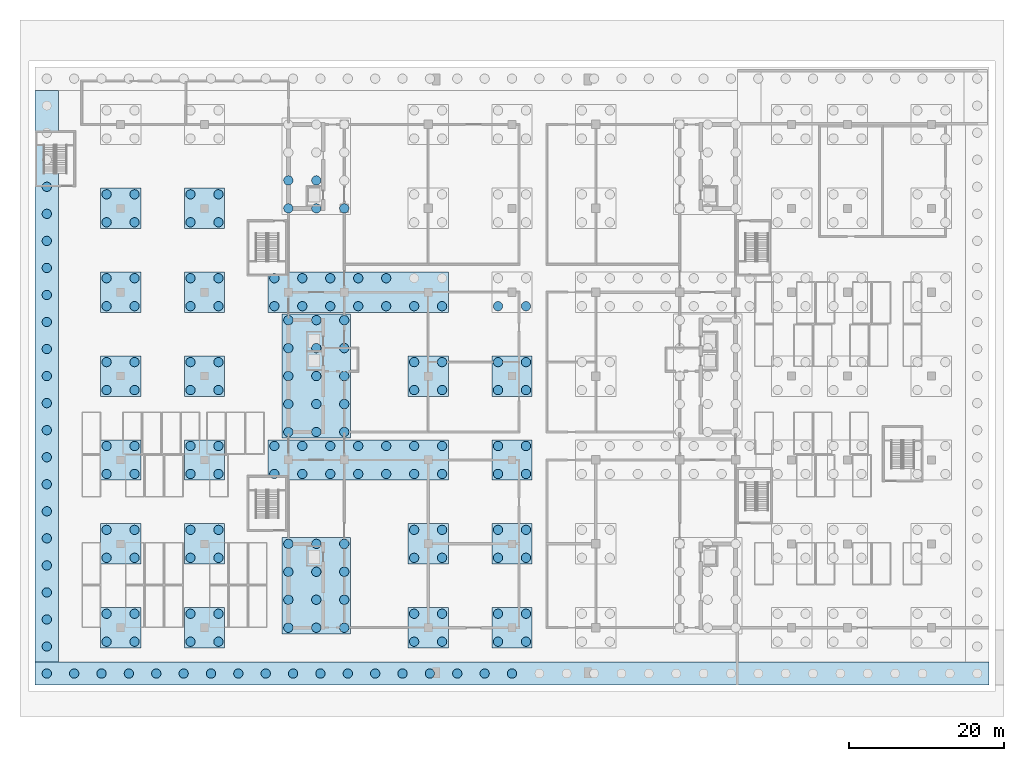
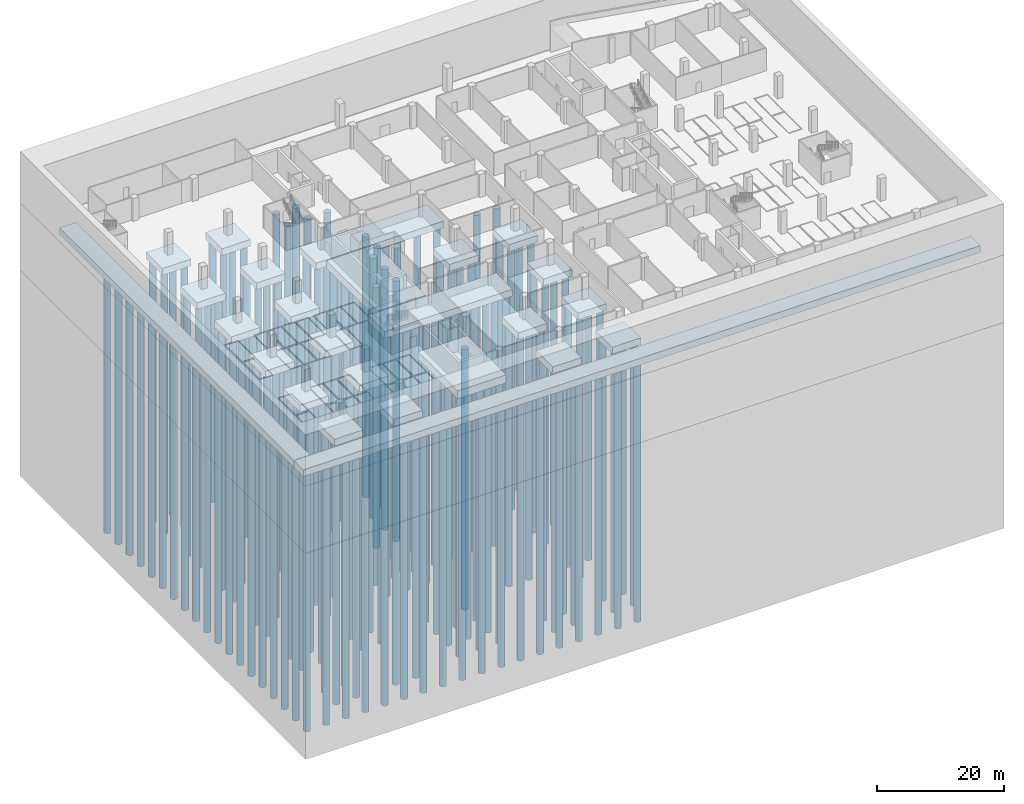
# One storey, part 1 of 18: 172 piles, 25 footings.
"""IFC4 building model written with IfcOpenShell, lengths in metres."""

from ifc_helpers import new_model, si_unit, direction, frame, origin, origin_2d, place, context, subcontext, project, spatial, polyline, circle, outline, extrude, material, material_profile, profile_set, type_object, element, save


model = new_model("IFC4")

# Units and contexts
model_context = context("Model", 3, precision=1e-05, world=origin(), true_north=direction((0.0, 1.0)))
body_context = subcontext(model_context, "Body", "Model", "MODEL_VIEW")
ifc_project = project(units=[si_unit("LENGTHUNIT", "METRE"), si_unit("AREAUNIT", "SQUARE_METRE"), si_unit("VOLUMEUNIT", "CUBIC_METRE"), si_unit("PLANEANGLEUNIT", "RADIAN"), si_unit("MASSUNIT", "GRAM", prefix="KILO")], contexts=[model_context])

# Site, building, storey
site_placement = place(None, origin())
site = spatial("IfcSite", under=ifc_project, at=site_placement, CompositionType="ELEMENT")
building_placement = place(site_placement, origin())
building = spatial("IfcBuilding", under=site, at=building_placement, Name="Basin Gate Institute", CompositionType="ELEMENT")
storey_placement = place(building_placement, frame((0.0, 0.0, -9.60009765625)))
storey = spatial("IfcBuildingStorey", under=building, at=storey_placement, Name="B2", CompositionType="ELEMENT", Elevation=-9.60009765625)

# Piles
ifc_material_1 = material(Name="Concrete 35 MPa", Category="concrete")
ifc_material_profile = material_profile(ifc_material_1, circle(Radius=0.60009765625, at=origin_2d()), Name="Bored pile P1 1200 dia")
ifc_profile_set = profile_set([ifc_material_profile], Name="Concrete 35 MPa")
pile_type = type_object("IfcPileType", Name="Bored pile P1", PredefinedType="BORED", material=ifc_profile_set)
for number, where, z_axis, x_axis, name in (
    (1, (61.199951171875, 35.10009765625, -2.0), (0.0, 0.0, -1.0), (1.0, 0.0, 0.0), "PILE/WS/1"),
    (2, (61.199951171875, 38.699951171875, -2.0), (0.0, 0.0, -1.0), (1.0, 0.0, 0.0), "PILE/WS/2"),
    (3, (61.199951171875, 42.300048828125, -2.0), (0.0, 0.0, -1.0), (1.0, 0.0, 0.0), "PILE/WS/3"),
    (4, (61.199951171875, 45.89990234375, -2.0), (0.0, 0.0, -1.0), (1.0, 0.0, 0.0), "PILE/WS/4"),
    (5, (64.800048828125, 35.10009765625, -2.0), (0.0, 0.0, -1.0), (1.0, 0.0, 0.0), "PILE/WS/5"),
    (6, (64.800048828125, 38.699951171875, -2.0), (0.0, 0.0, -1.0), (1.0, 0.0, 0.0), "PILE/WS/6"),
    (7, (64.800048828125, 42.300048828125, -2.0), (0.0, 0.0, -1.0), (1.0, 0.0, 0.0), "PILE/WS/7"),
    (8, (64.800048828125, 45.89990234375, -2.0), (0.0, 0.0, -1.0), (1.0, 0.0, 0.0), "PILE/WS/8"),
    (9, (68.39990234375, 35.10009765625, -2.0), (0.0, 0.0, -1.0), (1.0, 0.0, 0.0), "PILE/WS/9"),
    (10, (68.39990234375, 38.699951171875, -2.0), (0.0, 0.0, -1.0), (1.0, 0.0, 0.0), "PILE/WS/10"),
    (11, (68.39990234375, 42.300048828125, -2.0), (0.0, 0.0, -1.0), (1.0, 0.0, 0.0), "PILE/WS/11"),
    (12, (68.39990234375, 45.89990234375, -2.0), (0.0, 0.0, -1.0), (1.0, 0.0, 0.0), "PILE/WS/12"),
    (13, (61.199951171875, 60.300048828125, -2.0), (0.0, 0.0, -1.0), (1.0, 0.0, 0.0), "PILE/WM/1"),
    (14, (61.199951171875, 63.89990234375, -2.0), (0.0, 0.0, -1.0), (1.0, 0.0, 0.0), "PILE/WM/2"),
    (15, (61.199951171875, 67.5, -2.0), (0.0, 0.0, -1.0), (1.0, 0.0, 0.0), "PILE/WM/3"),
    (16, (61.199951171875, 71.10009765625, -2.0), (0.0, 0.0, -1.0), (1.0, 0.0, 0.0), "PILE/WM/4"),
    (17, (61.199951171875, 74.699951171875, -2.0), (0.0, 0.0, -1.0), (1.0, 0.0, 0.0), "PILE/WM/5"),
    (18, (64.800048828125, 60.300048828125, -2.0), (0.0, 0.0, -1.0), (1.0, 0.0, 0.0), "PILE/WM/6"),
    (19, (64.800048828125, 63.89990234375, -2.0), (0.0, 0.0, -1.0), (1.0, 0.0, 0.0), "PILE/WM/7"),
    (20, (64.800048828125, 67.5, -2.0), (0.0, 0.0, -1.0), (1.0, 0.0, 0.0), "PILE/WM/8"),
    (21, (64.800048828125, 71.10009765625, -2.0), (0.0, 0.0, -1.0), (1.0, 0.0, 0.0), "PILE/WM/9"),
    (22, (64.800048828125, 74.699951171875, -2.0), (0.0, 0.0, -1.0), (1.0, 0.0, 0.0), "PILE/WM/10"),
    (23, (68.39990234375, 60.300048828125, -2.0), (0.0, 0.0, -1.0), (1.0, 0.0, 0.0), "PILE/WM/11"),
    (24, (68.39990234375, 63.89990234375, -2.0), (0.0, 0.0, -1.0), (1.0, 0.0, 0.0), "PILE/WM/12"),
    (25, (68.39990234375, 67.5, -2.0), (0.0, 0.0, -1.0), (1.0, 0.0, 0.0), "PILE/WM/13"),
    (26, (68.39990234375, 71.10009765625, -2.0), (0.0, 0.0, -1.0), (1.0, 0.0, 0.0), "PILE/WM/14"),
    (27, (68.39990234375, 74.699951171875, -2.0), (0.0, 0.0, -1.0), (1.0, 0.0, 0.0), "PILE/WM/15"),
    (28, (61.199951171875, 89.10009765625, -2.0), (0.0, 0.0, -1.0), (1.0, 0.0, 0.0), "PILE/WN/1"),
    (29, (61.199951171875, 92.699951171875, -2.0), (0.0, 0.0, -1.0), (1.0, 0.0, 0.0), "PILE/WN/2"),
    (30, (64.800048828125, 89.10009765625, -2.0), (0.0, 0.0, -1.0), (1.0, 0.0, 0.0), "PILE/WN/5"),
    (31, (64.800048828125, 92.699951171875, -2.0), (0.0, 0.0, -1.0), (1.0, 0.0, 0.0), "PILE/WN/6"),
    (32, (68.39990234375, 89.10009765625, -2.0), (0.0, 0.0, -1.0), (1.0, 0.0, 0.0), "PILE/WN/9"),
    (33, (59.39990234375, 54.89990234375, -1.7998046875), (0.0, 0.0, -1.0), (1.0, 0.0, 0.0), "PILE/WWC/1"),
    (34, (59.39990234375, 58.5, -1.7998046875), (0.0, 0.0, -1.0), (1.0, 0.0, 0.0), "PILE/WWC/2"),
    (35, (63.0, 54.89990234375, -1.7998046875), (0.0, 0.0, -1.0), (1.0, 0.0, 0.0), "PILE/WWC/3"),
    (36, (63.0, 58.5, -1.7998046875), (0.0, 0.0, -1.0), (1.0, 0.0, 0.0), "PILE/WWC/4"),
    (37, (66.60009765625, 54.89990234375, -1.7998046875), (0.0, 0.0, -1.0), (1.0, 0.0, 0.0), "PILE/WWC/5"),
    (38, (66.60009765625, 58.5, -1.7998046875), (0.0, 0.0, -1.0), (1.0, 0.0, 0.0), "PILE/WWC/6"),
    (39, (70.199951171875, 54.89990234375, -1.7998046875), (0.0, 0.0, -1.0), (1.0, 0.0, 0.0), "PILE/WWC/7"),
    (40, (70.199951171875, 58.5, -1.7998046875), (0.0, 0.0, -1.0), (1.0, 0.0, 0.0), "PILE/WWC/8"),
    (41, (73.800048828125, 54.89990234375, -1.7998046875), (0.0, 0.0, -1.0), (1.0, 0.0, 0.0), "PILE/WWC/9"),
    (42, (73.800048828125, 58.5, -1.7998046875), (0.0, 0.0, -1.0), (1.0, 0.0, 0.0), "PILE/WWC/10"),
    (43, (77.39990234375, 54.89990234375, -1.7998046875), (0.0, 0.0, -1.0), (1.0, 0.0, 0.0), "PILE/WWC/11"),
    (44, (77.39990234375, 58.5, -1.7998046875), (0.0, 0.0, -1.0), (1.0, 0.0, 0.0), "PILE/WWC/12"),
    (45, (81.0, 54.89990234375, -1.7998046875), (0.0, 0.0, -1.0), (1.0, 0.0, 0.0), "PILE/WWC/13"),
    (46, (81.0, 58.5, -1.7998046875), (0.0, 0.0, -1.0), (1.0, 0.0, 0.0), "PILE/WWC/14"),
    (47, (59.39990234375, 76.5, -1.7998046875), (0.0, 0.0, -1.0), (1.0, 0.0, 0.0), "PILE/WWE/1"),
    (48, (59.39990234375, 80.10009765625, -1.7998046875), (0.0, 0.0, -1.0), (1.0, 0.0, 0.0), "PILE/WWE/2"),
    (49, (63.0, 76.5, -1.7998046875), (0.0, 0.0, -1.0), (1.0, 0.0, 0.0), "PILE/WWE/3"),
    (50, (63.0, 80.10009765625, -1.7998046875), (0.0, 0.0, -1.0), (1.0, 0.0, 0.0), "PILE/WWE/4"),
    (51, (66.60009765625, 76.5, -1.7998046875), (0.0, 0.0, -1.0), (1.0, 0.0, 0.0), "PILE/WWE/5"),
    (52, (66.60009765625, 80.10009765625, -1.7998046875), (0.0, 0.0, -1.0), (1.0, 0.0, 0.0), "PILE/WWE/6"),
    (53, (70.199951171875, 76.5, -1.7998046875), (0.0, 0.0, -1.0), (1.0, 0.0, 0.0), "PILE/WWE/7"),
    (54, (70.199951171875, 80.10009765625, -1.7998046875), (0.0, 0.0, -1.0), (1.0, 0.0, 0.0), "PILE/WWE/8"),
    (55, (73.800048828125, 76.5, -1.7998046875), (0.0, 0.0, -1.0), (1.0, 0.0, 0.0), "PILE/WWE/9"),
    (56, (73.800048828125, 80.10009765625, -1.7998046875), (0.0, 0.0, -1.0), (1.0, 0.0, 0.0), "PILE/WWE/10"),
    (57, (77.39990234375, 76.5, -1.7998046875), (0.0, 0.0, -1.0), (1.0, 0.0, 0.0), "PILE/WWE/11"),
    (58, (81.0, 76.5, -1.7998046875), (0.0, 0.0, -1.0), (1.0, 0.0, 0.0), "PILE/WWE/13"),
    (59, (77.39990234375, 33.300048828125, -1.7998046875), (0.0, 0.0, -1.0), (1.0, 0.0, 0.0), "PILE/6A/1"),
    (60, (81.0, 33.300048828125, -1.7998046875), (0.0, 0.0, -1.0), (1.0, 0.0, 0.0), "PILE/6A/2"),
    (61, (77.39990234375, 36.89990234375, -1.7998046875), (0.0, 0.0, -1.0), (1.0, 0.0, 0.0), "PILE/6A/3"),
    (62, (81.0, 36.89990234375, -1.7998046875), (0.0, 0.0, -1.0), (1.0, 0.0, 0.0), "PILE/6A/4"),
    (63, (77.39990234375, 44.10009765625, -1.7998046875), (0.0, 0.0, -1.0), (1.0, 0.0, 0.0), "PILE/6B/1"),
    (64, (81.0, 44.10009765625, -1.7998046875), (0.0, 0.0, -1.0), (1.0, 0.0, 0.0), "PILE/6B/2"),
    (65, (77.39990234375, 47.699951171875, -1.7998046875), (0.0, 0.0, -1.0), (1.0, 0.0, 0.0), "PILE/6B/3"),
    (66, (81.0, 47.699951171875, -1.7998046875), (0.0, 0.0, -1.0), (1.0, 0.0, 0.0), "PILE/6B/4"),
    (67, (77.39990234375, 65.699951171875, -1.7998046875), (0.0, 0.0, -1.0), (1.0, 0.0, 0.0), "PILE/6D/1"),
    (68, (81.0, 65.699951171875, -1.7998046875), (0.0, 0.0, -1.0), (1.0, 0.0, 0.0), "PILE/6D/2"),
    (69, (77.39990234375, 69.300048828125, -1.7998046875), (0.0, 0.0, -1.0), (1.0, 0.0, 0.0), "PILE/6D/3"),
    (70, (81.0, 69.300048828125, -1.7998046875), (0.0, 0.0, -1.0), (1.0, 0.0, 0.0), "PILE/6D/4"),
    (71, (37.800048828125, 33.300048828125, -1.7998046875), (0.0, 0.0, -1.0), (1.0, 0.0, 0.0), "PILE/2A/1"),
    (72, (41.39990234375, 33.300048828125, -1.7998046875), (0.0, 0.0, -1.0), (1.0, 0.0, 0.0), "PILE/2A/2"),
    (73, (37.800048828125, 36.89990234375, -1.7998046875), (0.0, 0.0, -1.0), (1.0, 0.0, 0.0), "PILE/2A/3"),
    (74, (41.39990234375, 36.89990234375, -1.7998046875), (0.0, 0.0, -1.0), (1.0, 0.0, 0.0), "PILE/2A/4"),
    (75, (37.800048828125, 44.10009765625, -1.7998046875), (0.0, 0.0, -1.0), (1.0, 0.0, 0.0), "PILE/2B/1"),
    (76, (41.39990234375, 44.10009765625, -1.7998046875), (0.0, 0.0, -1.0), (1.0, 0.0, 0.0), "PILE/2B/2"),
    (77, (37.800048828125, 47.699951171875, -1.7998046875), (0.0, 0.0, -1.0), (1.0, 0.0, 0.0), "PILE/2B/3"),
    (78, (41.39990234375, 47.699951171875, -1.7998046875), (0.0, 0.0, -1.0), (1.0, 0.0, 0.0), "PILE/2B/4"),
    (79, (37.800048828125, 54.89990234375, -1.7998046875), (0.0, 0.0, -1.0), (1.0, 0.0, 0.0), "PILE/2C/1"),
    (80, (41.39990234375, 54.89990234375, -1.7998046875), (0.0, 0.0, -1.0), (1.0, 0.0, 0.0), "PILE/2C/2"),
    (81, (37.800048828125, 58.5, -1.7998046875), (0.0, 0.0, -1.0), (1.0, 0.0, 0.0), "PILE/2C/3"),
    (82, (41.39990234375, 58.5, -1.7998046875), (0.0, 0.0, -1.0), (1.0, 0.0, 0.0), "PILE/2C/4"),
    (83, (37.800048828125, 65.699951171875, -1.7998046875), (0.0, 0.0, -1.0), (1.0, 0.0, 0.0), "PILE/2D/1"),
    (84, (41.39990234375, 65.699951171875, -1.7998046875), (0.0, 0.0, -1.0), (1.0, 0.0, 0.0), "PILE/2D/2"),
    (85, (37.800048828125, 69.300048828125, -1.7998046875), (0.0, 0.0, -1.0), (1.0, 0.0, 0.0), "PILE/2D/3"),
    (86, (41.39990234375, 69.300048828125, -1.7998046875), (0.0, 0.0, -1.0), (1.0, 0.0, 0.0), "PILE/2D/4"),
    (87, (37.800048828125, 76.5, -1.7998046875), (0.0, 0.0, -1.0), (1.0, 0.0, 0.0), "PILE/2E/1"),
    (88, (41.39990234375, 76.5, -1.7998046875), (0.0, 0.0, -1.0), (1.0, 0.0, 0.0), "PILE/2E/2"),
    (89, (37.800048828125, 80.10009765625, -1.7998046875), (0.0, 0.0, -1.0), (1.0, 0.0, 0.0), "PILE/2E/3"),
    (90, (41.39990234375, 80.10009765625, -1.7998046875), (0.0, 0.0, -1.0), (1.0, 0.0, 0.0), "PILE/2E/4"),
    (91, (37.800048828125, 87.300048828125, -1.7998046875), (0.0, 0.0, -1.0), (1.0, 0.0, 0.0), "PILE/2F/1"),
    (92, (41.39990234375, 87.300048828125, -1.7998046875), (0.0, 0.0, -1.0), (1.0, 0.0, 0.0), "PILE/2F/2"),
    (93, (37.800048828125, 90.89990234375, -1.7998046875), (0.0, 0.0, -1.0), (1.0, 0.0, 0.0), "PILE/2F/3"),
    (94, (41.39990234375, 90.89990234375, -1.7998046875), (0.0, 0.0, -1.0), (1.0, 0.0, 0.0), "PILE/2F/4"),
    (95, (48.60009765625, 33.300048828125, -1.7998046875), (0.0, 0.0, -1.0), (1.0, 0.0, 0.0), "PILE/3A/1"),
    (96, (52.199951171875, 33.300048828125, -1.7998046875), (0.0, 0.0, -1.0), (1.0, 0.0, 0.0), "PILE/3A/2"),
    (97, (48.60009765625, 36.89990234375, -1.7998046875), (0.0, 0.0, -1.0), (1.0, 0.0, 0.0), "PILE/3A/3"),
    (98, (52.199951171875, 36.89990234375, -1.7998046875), (0.0, 0.0, -1.0), (1.0, 0.0, 0.0), "PILE/3A/4"),
    (99, (48.60009765625, 44.10009765625, -1.7998046875), (0.0, 0.0, -1.0), (1.0, 0.0, 0.0), "PILE/3B/1"),
    (100, (52.199951171875, 44.10009765625, -1.7998046875), (0.0, 0.0, -1.0), (1.0, 0.0, 0.0), "PILE/3B/2"),
    (101, (48.60009765625, 47.699951171875, -1.7998046875), (0.0, 0.0, -1.0), (1.0, 0.0, 0.0), "PILE/3B/3"),
    (102, (52.199951171875, 47.699951171875, -1.7998046875), (0.0, 0.0, -1.0), (1.0, 0.0, 0.0), "PILE/3B/4"),
    (103, (48.60009765625, 54.89990234375, -1.7998046875), (0.0, 0.0, -1.0), (1.0, 0.0, 0.0), "PILE/3C/1"),
    (104, (52.199951171875, 54.89990234375, -1.7998046875), (0.0, 0.0, -1.0), (1.0, 0.0, 0.0), "PILE/3C/2"),
    (105, (48.60009765625, 58.5, -1.7998046875), (0.0, 0.0, -1.0), (1.0, 0.0, 0.0), "PILE/3C/3"),
    (106, (52.199951171875, 58.5, -1.7998046875), (0.0, 0.0, -1.0), (1.0, 0.0, 0.0), "PILE/3C/4"),
    (107, (48.60009765625, 65.699951171875, -1.7998046875), (0.0, 0.0, -1.0), (1.0, 0.0, 0.0), "PILE/3D/1"),
    (108, (52.199951171875, 65.699951171875, -1.7998046875), (0.0, 0.0, -1.0), (1.0, 0.0, 0.0), "PILE/3D/2"),
    (109, (48.60009765625, 69.300048828125, -1.7998046875), (0.0, 0.0, -1.0), (1.0, 0.0, 0.0), "PILE/3D/3"),
    (110, (52.199951171875, 69.300048828125, -1.7998046875), (0.0, 0.0, -1.0), (1.0, 0.0, 0.0), "PILE/3D/4"),
    (111, (48.60009765625, 76.5, -1.7998046875), (0.0, 0.0, -1.0), (1.0, 0.0, 0.0), "PILE/3E/1"),
    (112, (52.199951171875, 76.5, -1.7998046875), (0.0, 0.0, -1.0), (1.0, 0.0, 0.0), "PILE/3E/2"),
    (113, (48.60009765625, 80.10009765625, -1.7998046875), (0.0, 0.0, -1.0), (1.0, 0.0, 0.0), "PILE/3E/3"),
    (114, (52.199951171875, 80.10009765625, -1.7998046875), (0.0, 0.0, -1.0), (1.0, 0.0, 0.0), "PILE/3E/4"),
    (115, (48.60009765625, 87.300048828125, -1.7998046875), (0.0, 0.0, -1.0), (1.0, 0.0, 0.0), "PILE/3F/1"),
    (116, (52.199951171875, 87.300048828125, -1.7998046875), (0.0, 0.0, -1.0), (1.0, 0.0, 0.0), "PILE/3F/2"),
    (117, (48.60009765625, 90.89990234375, -1.7998046875), (0.0, 0.0, -1.0), (1.0, 0.0, 0.0), "PILE/3F/3"),
    (118, (52.199951171875, 90.89990234375, -1.7998046875), (0.0, 0.0, -1.0), (1.0, 0.0, 0.0), "PILE/3F/4"),
    (119, (88.199951171875, 33.300048828125, -1.7998046875), (0.0, 0.0, -1.0), (1.0, 0.0, 0.0), "PILE/6.5A/1"),
    (120, (91.800048828125, 33.300048828125, -1.7998046875), (0.0, 0.0, -1.0), (1.0, 0.0, 0.0), "PILE/6.5A/2"),
    (121, (88.199951171875, 36.89990234375, -1.7998046875), (0.0, 0.0, -1.0), (1.0, 0.0, 0.0), "PILE/6.5A/3"),
    (122, (91.800048828125, 36.89990234375, -1.7998046875), (0.0, 0.0, -1.0), (1.0, 0.0, 0.0), "PILE/6.5A/4"),
    (123, (88.199951171875, 44.10009765625, -1.7998046875), (0.0, 0.0, -1.0), (1.0, 0.0, 0.0), "PILE/6.5B/1"),
    (124, (91.800048828125, 44.10009765625, -1.7998046875), (0.0, 0.0, -1.0), (1.0, 0.0, 0.0), "PILE/6.5B/2"),
    (125, (88.199951171875, 47.699951171875, -1.7998046875), (0.0, 0.0, -1.0), (1.0, 0.0, 0.0), "PILE/6.5B/3"),
    (126, (91.800048828125, 47.699951171875, -1.7998046875), (0.0, 0.0, -1.0), (1.0, 0.0, 0.0), "PILE/6.5B/4"),
    (127, (88.199951171875, 54.89990234375, -1.7998046875), (0.0, 0.0, -1.0), (1.0, 0.0, 0.0), "PILE/6.5C/1"),
    (128, (91.800048828125, 54.89990234375, -1.7998046875), (0.0, 0.0, -1.0), (1.0, 0.0, 0.0), "PILE/6.5C/2"),
    (129, (88.199951171875, 58.5, -1.7998046875), (0.0, 0.0, -1.0), (1.0, 0.0, 0.0), "PILE/6.5C/3"),
    (130, (91.800048828125, 58.5, -1.7998046875), (0.0, 0.0, -1.0), (1.0, 0.0, 0.0), "PILE/6.5C/4"),
    (131, (88.199951171875, 65.699951171875, -1.7998046875), (0.0, 0.0, -1.0), (1.0, 0.0, 0.0), "PILE/6.5D/1"),
    (132, (91.800048828125, 65.699951171875, -1.7998046875), (0.0, 0.0, -1.0), (1.0, 0.0, 0.0), "PILE/6.5D/2"),
    (133, (88.199951171875, 69.300048828125, -1.7998046875), (0.0, 0.0, -1.0), (1.0, 0.0, 0.0), "PILE/6.5D/3"),
    (134, (91.800048828125, 69.300048828125, -1.7998046875), (0.0, 0.0, -1.0), (1.0, 0.0, 0.0), "PILE/6.5D/4"),
    (135, (88.199951171875, 76.5, -1.7998046875), (0.0, 0.0, -1.0), (1.0, 0.0, 0.0), "PILE/6.5E/1"),
    (136, (91.800048828125, 76.5, -1.7998046875), (0.0, 0.0, -1.0), (1.0, 0.0, 0.0), "PILE/6.5E/2"),
    (137, (30.10009765625, 29.199951171875, -1.7998046875), (0.0, 0.0, -1.0), (1.0, 0.0, 0.0), "PILE/STRIP-S/1"),
    (138, (33.62353515625, 29.199951171875, -1.7998046875), (0.0, 0.0, -1.0), (1.0, 0.0, 0.0), "PILE/STRIP-S/2"),
    (139, (37.14697265625, 29.199951171875, -1.7998046875), (0.0, 0.0, -1.0), (1.0, 0.0, 0.0), "PILE/STRIP-S/3"),
    (140, (40.670654296875, 29.199951171875, -1.7998046875), (0.0, 0.0, -1.0), (1.0, 0.0, 0.0), "PILE/STRIP-S/4"),
    (141, (44.194091796875, 29.199951171875, -1.7998046875), (0.0, 0.0, -1.0), (1.0, 0.0, 0.0), "PILE/STRIP-S/5"),
    (142, (47.717529296875, 29.199951171875, -1.7998046875), (0.0, 0.0, -1.0), (1.0, 0.0, 0.0), "PILE/STRIP-S/6"),
    (143, (51.2412109375, 29.199951171875, -1.7998046875), (0.0, 0.0, -1.0), (1.0, 0.0, 0.0), "PILE/STRIP-S/7"),
    (144, (54.7646484375, 29.199951171875, -1.7998046875), (0.0, 0.0, -1.0), (1.0, 0.0, 0.0), "PILE/STRIP-S/8"),
    (145, (58.288330078125, 29.199951171875, -1.7998046875), (0.0, 0.0, -1.0), (1.0, 0.0, 0.0), "PILE/STRIP-S/9"),
    (146, (61.811767578125, 29.199951171875, -1.7998046875), (0.0, 0.0, -1.0), (1.0, 0.0, 0.0), "PILE/STRIP-S/10"),
    (147, (65.335205078125, 29.199951171875, -1.7998046875), (0.0, 0.0, -1.0), (1.0, 0.0, 0.0), "PILE/STRIP-S/11"),
    (148, (68.85888671875, 29.199951171875, -1.7998046875), (0.0, 0.0, -1.0), (1.0, 0.0, 0.0), "PILE/STRIP-S/12"),
    (149, (72.38232421875, 29.199951171875, -1.7998046875), (0.0, 0.0, -1.0), (1.0, 0.0, 0.0), "PILE/STRIP-S/13"),
    (150, (75.90576171875, 29.199951171875, -1.7998046875), (0.0, 0.0, -1.0), (1.0, 0.0, 0.0), "PILE/STRIP-S/14"),
    (151, (79.429443359375, 29.199951171875, -1.7998046875), (0.0, 0.0, -1.0), (1.0, 0.0, 0.0), "PILE/STRIP-S/15"),
    (152, (82.952880859375, 29.199951171875, -1.7998046875), (0.0, 0.0, -1.0), (1.0, 0.0, 0.0), "PILE/STRIP-S/16"),
    (153, (86.4765625, 29.199951171875, -1.7998046875), (0.0, 0.0, -1.0), (1.0, 0.0, 0.0), "PILE/STRIP-S/17"),
    (154, (90.0, 29.199951171875, -1.7998046875), (0.0, 0.0, -1.0), (1.0, 0.0, 0.0), "PILE/STRIP-S/18"),
    (155, (30.10009765625, 32.681884765625, -1.7998046875), (0.0, 0.0, -1.0), (1.0, 0.0, 0.0), "PILE/STRIP-W/1"),
    (156, (30.10009765625, 36.16357421875, -1.7998046875), (0.0, 0.0, -1.0), (1.0, 0.0, 0.0), "PILE/STRIP-W/2"),
    (157, (30.10009765625, 39.6455078125, -1.7998046875), (0.0, 0.0, -1.0), (1.0, 0.0, 0.0), "PILE/STRIP-W/3"),
    (158, (30.10009765625, 43.127197265625, -1.7998046875), (0.0, 0.0, -1.0), (1.0, 0.0, 0.0), "PILE/STRIP-W/4"),
    (159, (30.10009765625, 46.609130859375, -1.7998046875), (0.0, 0.0, -1.0), (1.0, 0.0, 0.0), "PILE/STRIP-W/5"),
    (160, (30.10009765625, 50.0908203125, -1.7998046875), (0.0, 0.0, -1.0), (1.0, 0.0, 0.0), "PILE/STRIP-W/6"),
    (161, (30.10009765625, 53.57275390625, -1.7998046875), (0.0, 0.0, -1.0), (1.0, 0.0, 0.0), "PILE/STRIP-W/7"),
    (162, (30.10009765625, 57.054443359375, -1.7998046875), (0.0, 0.0, -1.0), (1.0, 0.0, 0.0), "PILE/STRIP-W/8"),
    (163, (30.10009765625, 60.536376953125, -1.7998046875), (0.0, 0.0, -1.0), (1.0, 0.0, 0.0), "PILE/STRIP-W/9"),
    (164, (30.10009765625, 64.01806640625, -1.7998046875), (0.0, 0.0, -1.0), (1.0, 0.0, 0.0), "PILE/STRIP-W/10"),
    (165, (30.10009765625, 67.5, -1.7998046875), (0.0, 0.0, -1.0), (1.0, 0.0, 0.0), "PILE/STRIP-W/11"),
    (166, (30.10009765625, 70.98193359375, -1.7998046875), (0.0, 0.0, -1.0), (1.0, 0.0, 0.0), "PILE/STRIP-W/12"),
    (167, (30.10009765625, 74.463623046875, -1.7998046875), (0.0, 0.0, -1.0), (1.0, 0.0, 0.0), "PILE/STRIP-W/13"),
    (168, (30.10009765625, 77.945556640625, -1.7998046875), (0.0, 0.0, -1.0), (1.0, 0.0, 0.0), "PILE/STRIP-W/14"),
    (169, (30.10009765625, 81.42724609375, -1.7998046875), (0.0, 0.0, -1.0), (1.0, 0.0, 0.0), "PILE/STRIP-W/15"),
    (170, (30.10009765625, 84.9091796875, -1.7998046875), (0.0, 0.0, -1.0), (1.0, 0.0, 0.0), "PILE/STRIP-W/16"),
    (171, (30.10009765625, 88.390869140625, -1.7998046875), (0.0, 0.0, -1.0), (1.0, 0.0, 0.0), "PILE/STRIP-W/17"),
    (172, (30.10009765625, 91.872802734375, -1.7998046875), (0.0, 0.0, -1.0), (1.0, 0.0, 0.0), "PILE/STRIP-W/18"),
):
    element("IfcPile", number, at=place(storey_placement, frame(where, z_axis=z_axis, x_axis=x_axis)), inside=storey, type_object=pile_type, material=ifc_profile_set, Name=name, PredefinedType="BORED", context=body_context, shape_type="SweptSolid", body=[
        extrude(circle(Radius=0.60009765625, at=origin_2d()), origin(), (0.0, 0.0, 1.0), 50.0),
    ])

# Footings
ifc_material_2 = material(Name="Concrete 35 MPa", Category="concrete")
footing_type_1 = type_object("IfcFootingType", Name="Pile cap PC1", PredefinedType="PILE_CAP", material=ifc_material_2)
footing_1_placement = place(storey_placement, frame((0.0, 0.0, -1.7998046875)))
element("IfcFooting", 173, at=footing_1_placement, inside=storey, type_object=footing_type_1, material=ifc_material_2, Name="CAP/6A", PredefinedType="PILE_CAP", context=body_context, shape_type="SweptSolid", body=[
    extrude(outline(polyline([(76.60009765625, 32.5), (81.800048828125, 32.5), (81.800048828125, 37.699951171875), (76.60009765625, 37.699951171875), (76.60009765625, 32.5)])), origin(), (0.0, 0.0, 1.0), 1.2998046875),
])
footing_2_placement = place(storey_placement, frame((0.0, 0.0, -1.7998046875)))
element("IfcFooting", 174, at=footing_2_placement, inside=storey, type_object=footing_type_1, material=ifc_material_2, Name="CAP/6B", PredefinedType="PILE_CAP", context=body_context, shape_type="SweptSolid", body=[
    extrude(outline(polyline([(76.60009765625, 43.300048828125), (81.800048828125, 43.300048828125), (81.800048828125, 48.5), (76.60009765625, 48.5), (76.60009765625, 43.300048828125)])), origin(), (0.0, 0.0, 1.0), 1.2998046875),
])
footing_3_placement = place(storey_placement, frame((0.0, 0.0, -1.7998046875)))
element("IfcFooting", 175, at=footing_3_placement, inside=storey, type_object=footing_type_1, material=ifc_material_2, Name="CAP/6D", PredefinedType="PILE_CAP", context=body_context, shape_type="SweptSolid", body=[
    extrude(outline(polyline([(76.60009765625, 64.89990234375), (81.800048828125, 64.89990234375), (81.800048828125, 70.10009765625), (76.60009765625, 70.10009765625), (76.60009765625, 64.89990234375)])), origin(), (0.0, 0.0, 1.0), 1.2998046875),
])
footing_4_placement = place(storey_placement, frame((0.0, 0.0, -1.7998046875)))
element("IfcFooting", 176, at=footing_4_placement, inside=storey, type_object=footing_type_1, material=ifc_material_2, Name="CAP/2A", PredefinedType="PILE_CAP", context=body_context, shape_type="SweptSolid", body=[
    extrude(outline(polyline([(37.0, 32.5), (42.199951171875, 32.5), (42.199951171875, 37.699951171875), (37.0, 37.699951171875), (37.0, 32.5)])), origin(), (0.0, 0.0, 1.0), 1.2998046875),
])
footing_5_placement = place(storey_placement, frame((0.0, 0.0, -1.7998046875)))
element("IfcFooting", 177, at=footing_5_placement, inside=storey, type_object=footing_type_1, material=ifc_material_2, Name="CAP/2B", PredefinedType="PILE_CAP", context=body_context, shape_type="SweptSolid", body=[
    extrude(outline(polyline([(37.0, 43.300048828125), (42.199951171875, 43.300048828125), (42.199951171875, 48.5), (37.0, 48.5), (37.0, 43.300048828125)])), origin(), (0.0, 0.0, 1.0), 1.2998046875),
])
footing_6_placement = place(storey_placement, frame((0.0, 0.0, -1.7998046875)))
element("IfcFooting", 178, at=footing_6_placement, inside=storey, type_object=footing_type_1, material=ifc_material_2, Name="CAP/2C", PredefinedType="PILE_CAP", context=body_context, shape_type="SweptSolid", body=[
    extrude(outline(polyline([(37.0, 54.10009765625), (42.199951171875, 54.10009765625), (42.199951171875, 59.300048828125), (37.0, 59.300048828125), (37.0, 54.10009765625)])), origin(), (0.0, 0.0, 1.0), 1.2998046875),
])
footing_7_placement = place(storey_placement, frame((0.0, 0.0, -1.7998046875)))
element("IfcFooting", 179, at=footing_7_placement, inside=storey, type_object=footing_type_1, material=ifc_material_2, Name="CAP/2D", PredefinedType="PILE_CAP", context=body_context, shape_type="SweptSolid", body=[
    extrude(outline(polyline([(37.0, 64.89990234375), (42.199951171875, 64.89990234375), (42.199951171875, 70.10009765625), (37.0, 70.10009765625), (37.0, 64.89990234375)])), origin(), (0.0, 0.0, 1.0), 1.2998046875),
])
footing_8_placement = place(storey_placement, frame((0.0, 0.0, -1.7998046875)))
element("IfcFooting", 180, at=footing_8_placement, inside=storey, type_object=footing_type_1, material=ifc_material_2, Name="CAP/2E", PredefinedType="PILE_CAP", context=body_context, shape_type="SweptSolid", body=[
    extrude(outline(polyline([(37.0, 75.699951171875), (42.199951171875, 75.699951171875), (42.199951171875, 80.89990234375), (37.0, 80.89990234375), (37.0, 75.699951171875)])), origin(), (0.0, 0.0, 1.0), 1.2998046875),
])
footing_9_placement = place(storey_placement, frame((0.0, 0.0, -1.7998046875)))
element("IfcFooting", 181, at=footing_9_placement, inside=storey, type_object=footing_type_1, material=ifc_material_2, Name="CAP/2F", PredefinedType="PILE_CAP", context=body_context, shape_type="SweptSolid", body=[
    extrude(outline(polyline([(37.0, 86.5), (42.199951171875, 86.5), (42.199951171875, 91.699951171875), (37.0, 91.699951171875), (37.0, 86.5)])), origin(), (0.0, 0.0, 1.0), 1.2998046875),
])
footing_10_placement = place(storey_placement, frame((0.0, 0.0, -1.7998046875)))
element("IfcFooting", 182, at=footing_10_placement, inside=storey, type_object=footing_type_1, material=ifc_material_2, Name="CAP/3A", PredefinedType="PILE_CAP", context=body_context, shape_type="SweptSolid", body=[
    extrude(outline(polyline([(47.800048828125, 32.5), (53.0, 32.5), (53.0, 37.699951171875), (47.800048828125, 37.699951171875), (47.800048828125, 32.5)])), origin(), (0.0, 0.0, 1.0), 1.2998046875),
])
footing_11_placement = place(storey_placement, frame((0.0, 0.0, -1.7998046875)))
element("IfcFooting", 183, at=footing_11_placement, inside=storey, type_object=footing_type_1, material=ifc_material_2, Name="CAP/3B", PredefinedType="PILE_CAP", context=body_context, shape_type="SweptSolid", body=[
    extrude(outline(polyline([(47.800048828125, 43.300048828125), (53.0, 43.300048828125), (53.0, 48.5), (47.800048828125, 48.5), (47.800048828125, 43.300048828125)])), origin(), (0.0, 0.0, 1.0), 1.2998046875),
])
footing_12_placement = place(storey_placement, frame((0.0, 0.0, -1.7998046875)))
element("IfcFooting", 184, at=footing_12_placement, inside=storey, type_object=footing_type_1, material=ifc_material_2, Name="CAP/3C", PredefinedType="PILE_CAP", context=body_context, shape_type="SweptSolid", body=[
    extrude(outline(polyline([(47.800048828125, 54.10009765625), (53.0, 54.10009765625), (53.0, 59.300048828125), (47.800048828125, 59.300048828125), (47.800048828125, 54.10009765625)])), origin(), (0.0, 0.0, 1.0), 1.2998046875),
])
footing_13_placement = place(storey_placement, frame((0.0, 0.0, -1.7998046875)))
element("IfcFooting", 185, at=footing_13_placement, inside=storey, type_object=footing_type_1, material=ifc_material_2, Name="CAP/3D", PredefinedType="PILE_CAP", context=body_context, shape_type="SweptSolid", body=[
    extrude(outline(polyline([(47.800048828125, 64.89990234375), (53.0, 64.89990234375), (53.0, 70.10009765625), (47.800048828125, 70.10009765625), (47.800048828125, 64.89990234375)])), origin(), (0.0, 0.0, 1.0), 1.2998046875),
])
footing_14_placement = place(storey_placement, frame((0.0, 0.0, -1.7998046875)))
element("IfcFooting", 186, at=footing_14_placement, inside=storey, type_object=footing_type_1, material=ifc_material_2, Name="CAP/3E", PredefinedType="PILE_CAP", context=body_context, shape_type="SweptSolid", body=[
    extrude(outline(polyline([(47.800048828125, 75.699951171875), (53.0, 75.699951171875), (53.0, 80.89990234375), (47.800048828125, 80.89990234375), (47.800048828125, 75.699951171875)])), origin(), (0.0, 0.0, 1.0), 1.2998046875),
])
footing_15_placement = place(storey_placement, frame((0.0, 0.0, -1.7998046875)))
element("IfcFooting", 187, at=footing_15_placement, inside=storey, type_object=footing_type_1, material=ifc_material_2, Name="CAP/3F", PredefinedType="PILE_CAP", context=body_context, shape_type="SweptSolid", body=[
    extrude(outline(polyline([(47.800048828125, 86.5), (53.0, 86.5), (53.0, 91.699951171875), (47.800048828125, 91.699951171875), (47.800048828125, 86.5)])), origin(), (0.0, 0.0, 1.0), 1.2998046875),
])
footing_16_placement = place(storey_placement, frame((0.0, 0.0, -1.7998046875)))
element("IfcFooting", 188, at=footing_16_placement, inside=storey, type_object=footing_type_1, material=ifc_material_2, Name="CAP/6.5A", PredefinedType="PILE_CAP", context=body_context, shape_type="SweptSolid", body=[
    extrude(outline(polyline([(87.39990234375, 32.5), (92.60009765625, 32.5), (92.60009765625, 37.699951171875), (87.39990234375, 37.699951171875), (87.39990234375, 32.5)])), origin(), (0.0, 0.0, 1.0), 1.2998046875),
])
footing_17_placement = place(storey_placement, frame((0.0, 0.0, -1.7998046875)))
element("IfcFooting", 189, at=footing_17_placement, inside=storey, type_object=footing_type_1, material=ifc_material_2, Name="CAP/6.5B", PredefinedType="PILE_CAP", context=body_context, shape_type="SweptSolid", body=[
    extrude(outline(polyline([(87.39990234375, 43.300048828125), (92.60009765625, 43.300048828125), (92.60009765625, 48.5), (87.39990234375, 48.5), (87.39990234375, 43.300048828125)])), origin(), (0.0, 0.0, 1.0), 1.2998046875),
])
footing_18_placement = place(storey_placement, frame((0.0, 0.0, -1.7998046875)))
element("IfcFooting", 190, at=footing_18_placement, inside=storey, type_object=footing_type_1, material=ifc_material_2, Name="CAP/6.5C", PredefinedType="PILE_CAP", context=body_context, shape_type="SweptSolid", body=[
    extrude(outline(polyline([(87.39990234375, 54.10009765625), (92.60009765625, 54.10009765625), (92.60009765625, 59.300048828125), (87.39990234375, 59.300048828125), (87.39990234375, 54.10009765625)])), origin(), (0.0, 0.0, 1.0), 1.2998046875),
])
footing_19_placement = place(storey_placement, frame((0.0, 0.0, -1.7998046875)))
element("IfcFooting", 191, at=footing_19_placement, inside=storey, type_object=footing_type_1, material=ifc_material_2, Name="CAP/6.5D", PredefinedType="PILE_CAP", context=body_context, shape_type="SweptSolid", body=[
    extrude(outline(polyline([(87.39990234375, 64.89990234375), (92.60009765625, 64.89990234375), (92.60009765625, 70.10009765625), (87.39990234375, 70.10009765625), (87.39990234375, 64.89990234375)])), origin(), (0.0, 0.0, 1.0), 1.2998046875),
])
ifc_material_3 = material(Name="Concrete 35 MPa", Category="concrete")
footing_type_2 = type_object("IfcFootingType", Name="Pile cap PC3", PredefinedType="PILE_CAP", material=ifc_material_3)
footing_20_placement = place(storey_placement, frame((0.0, 0.0, -2.0)))
element("IfcFooting", 192, at=footing_20_placement, inside=storey, type_object=footing_type_2, material=ifc_material_3, Name="CAP/WS", PredefinedType="PILE_CAP", context=body_context, shape_type="SweptSolid", body=[
    extrude(outline(polyline([(60.39990234375, 34.300048828125), (69.199951171875, 34.300048828125), (69.199951171875, 46.699951171875), (60.39990234375, 46.699951171875), (60.39990234375, 34.300048828125)])), origin(), (0.0, 0.0, 1.0), 1.5),
])
ifc_material_4 = material(Name="Concrete 35 MPa", Category="concrete")
footing_type_3 = type_object("IfcFootingType", Name="Pile cap PC4", PredefinedType="PILE_CAP", material=ifc_material_4)
footing_21_placement = place(storey_placement, frame((0.0, 0.0, -2.0)))
element("IfcFooting", 193, at=footing_21_placement, inside=storey, type_object=footing_type_3, material=ifc_material_4, Name="CAP/WM", PredefinedType="PILE_CAP", context=body_context, shape_type="SweptSolid", body=[
    extrude(outline(polyline([(60.39990234375, 59.5), (69.199951171875, 59.5), (69.199951171875, 75.5), (60.39990234375, 75.5), (60.39990234375, 59.5)])), origin(), (0.0, 0.0, 1.0), 1.5),
])
ifc_material_5 = material(Name="Concrete 35 MPa", Category="concrete")
footing_type_4 = type_object("IfcFootingType", Name="Pile cap PC5", PredefinedType="PILE_CAP", material=ifc_material_5)
footing_22_placement = place(storey_placement, frame((0.0, 0.0, -1.7998046875)))
element("IfcFooting", 194, at=footing_22_placement, inside=storey, type_object=footing_type_4, material=ifc_material_5, Name="CAP/WWC", PredefinedType="PILE_CAP", context=body_context, shape_type="SweptSolid", body=[
    extrude(outline(polyline([(58.60009765625, 54.10009765625), (81.800048828125, 54.10009765625), (81.800048828125, 59.300048828125), (58.60009765625, 59.300048828125), (58.60009765625, 54.10009765625)])), origin(), (0.0, 0.0, 1.0), 1.2998046875),
])
footing_23_placement = place(storey_placement, frame((0.0, 0.0, -1.7998046875)))
element("IfcFooting", 195, at=footing_23_placement, inside=storey, type_object=footing_type_4, material=ifc_material_5, Name="CAP/WWE", PredefinedType="PILE_CAP", context=body_context, shape_type="SweptSolid", body=[
    extrude(outline(polyline([(58.60009765625, 75.699951171875), (81.800048828125, 75.699951171875), (81.800048828125, 80.89990234375), (58.60009765625, 80.89990234375), (58.60009765625, 75.699951171875)])), origin(), (0.0, 0.0, 1.0), 1.2998046875),
])
ifc_material_6 = material(Name="Concrete 35 MPa", Category="concrete")
footing_type_5 = type_object("IfcFootingType", Name="Strip footing SF1", PredefinedType="STRIP_FOOTING", material=ifc_material_6)
footing_24_placement = place(storey_placement, frame((0.0, 0.0, -1.7998046875)))
element("IfcFooting", 196, at=footing_24_placement, inside=storey, type_object=footing_type_5, material=ifc_material_6, Name="STRIP/S", PredefinedType="STRIP_FOOTING", context=body_context, shape_type="SweptSolid", body=[
    extrude(outline(polyline([(28.60009765625, 27.699951171875), (151.39990234375, 27.699951171875), (151.39990234375, 30.699951171875), (28.60009765625, 30.699951171875), (28.60009765625, 27.699951171875)])), origin(), (0.0, 0.0, 1.0), 1.2998046875),
])
footing_25_placement = place(storey_placement, frame((0.0, 0.0, -1.7998046875)))
element("IfcFooting", 197, at=footing_25_placement, inside=storey, type_object=footing_type_5, material=ifc_material_6, Name="STRIP/W", PredefinedType="STRIP_FOOTING", context=body_context, shape_type="SweptSolid", body=[
    extrude(outline(polyline([(28.60009765625, 30.699951171875), (31.60009765625, 30.699951171875), (31.60009765625, 104.300048828125), (28.60009765625, 104.300048828125), (28.60009765625, 30.699951171875)])), origin(), (0.0, 0.0, 1.0), 1.2998046875),
])

save(model, "model.ifc")
